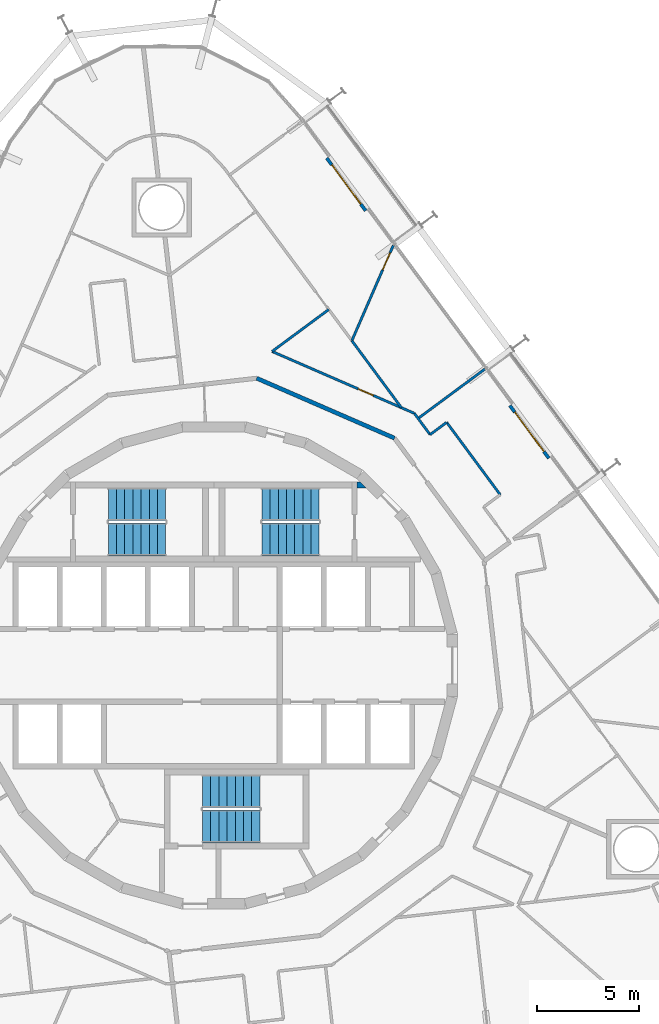
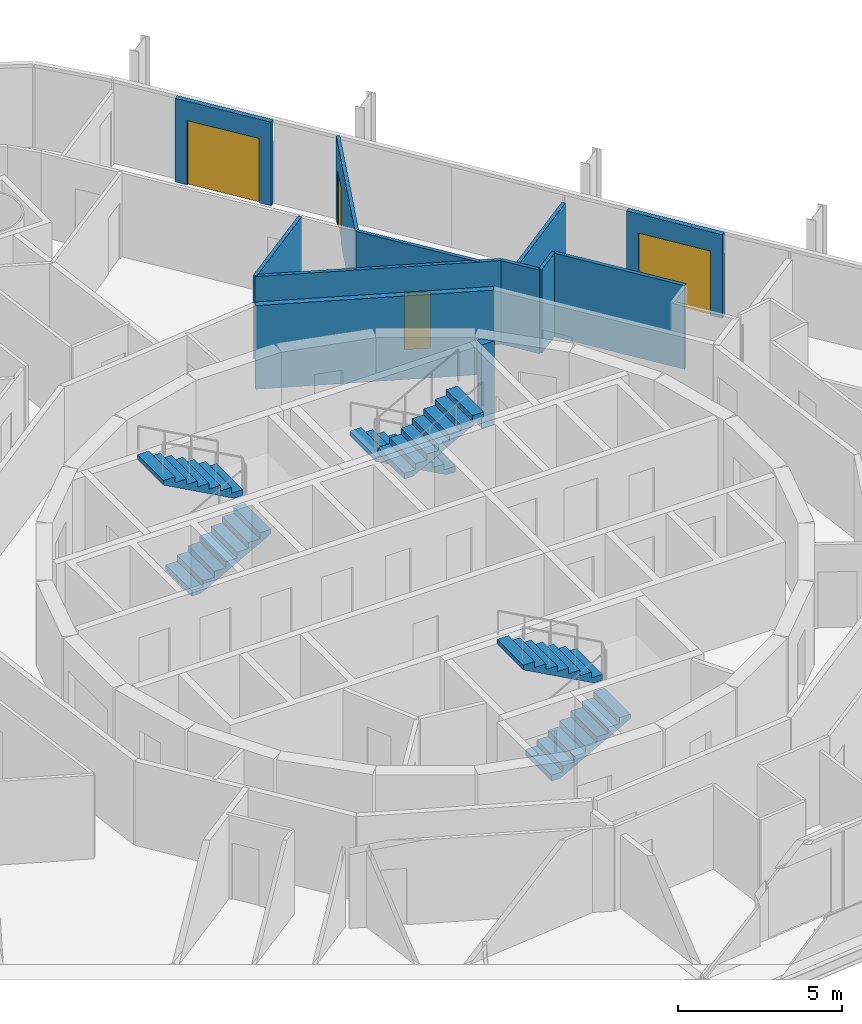
# One storey, part 22 of 24: 12 walls, 6 stair flights, 4 doors, 4 openings, 3 elements without a shape of their own.
"""IFC4 building model written with IfcOpenShell, lengths in metres."""

from ifc_helpers import new_model, si_unit, direction, frame, frame_2d, origin, place, context, subcontext, project, spatial, polyline, rectangle, outline, extrude, material, layer, layer_set, type_object, element, fill, aggregate, save


model = new_model("IFC4")

# Units and contexts
model_context = context("Model", 3, precision=1e-05, world=origin(), true_north=direction((0.0, 1.0)))
body_context = subcontext(model_context, "Body", "Model", "MODEL_VIEW")
ifc_project = project(units=[si_unit("LENGTHUNIT", "METRE"), si_unit("AREAUNIT", "SQUARE_METRE"), si_unit("VOLUMEUNIT", "CUBIC_METRE"), si_unit("PLANEANGLEUNIT", "RADIAN"), si_unit("MASSUNIT", "GRAM", prefix="KILO")], contexts=[model_context])

# Site, building, storey
site_placement = place(None, origin())
site = spatial("IfcSite", under=ifc_project, at=site_placement, CompositionType="ELEMENT")
building_placement = place(site_placement, origin())
building = spatial("IfcBuilding", under=site, at=building_placement, Name="Spindle Arch Residences", CompositionType="ELEMENT")
storey_placement = place(building_placement, frame((0.0, 0.0, 87.199951171875)))
storey = spatial("IfcBuildingStorey", under=building, at=storey_placement, Name="L20", CompositionType="ELEMENT", Elevation=87.199951171875)

# Walls
ifc_material_1 = material(Name="Calcium silicate block, plastered")
ifc_layer_1 = layer(ifc_material_1, 0.199951171875)
ifc_layer_set_1 = layer_set([ifc_layer_1], Name="Corridor wall 200")
wall_type_1 = type_object("IfcWallType", Name="Corridor wall 200", PredefinedType="STANDARD", material=ifc_layer_set_1)
wall_1_placement = place(storey_placement, frame((8.829345703125, 11.10009765625, 0.0), z_axis=(0.0, 0.0, 1.0), x_axis=(-0.917063183388, 0.398741918631, 0.0)))
element("IfcWall", 1, at=wall_1_placement, inside=storey, type_object=wall_type_1, Name="Corridor wall R2B1-W005", PredefinedType="STANDARD", context=body_context, shape_type="SweptSolid", body=[
    extrude(rectangle(XDim=7.341796875, YDim=0.199951171875, at=frame_2d((3.6708984375, 0.0))), origin(), (0.0, 0.0, 1.0), 3.1201171875),
])
ifc_material_2 = material(Name="Plasterboard on steel studs", Category="steel")
ifc_layer_2 = layer(ifc_material_2, 0.1201171875)
ifc_layer_set_2 = layer_set([ifc_layer_2], Name="Flat partition 120")
wall_type_2 = type_object("IfcWallType", Name="Flat partition 120", PredefinedType="PARTITIONING", material=ifc_layer_set_2)
wall_2_placement = place(storey_placement, frame((13.9951171875, 8.335693359375, 0.0), z_axis=(0.0, 0.0, 1.0), x_axis=(-0.59480284986, 0.803871612758, 0.0)))
element("IfcWall", 2, at=wall_2_placement, inside=storey, type_object=wall_type_2, Name="Flat partition R2B1-W030", PredefinedType="PARTITIONING", context=body_context, shape_type="SweptSolid", body=[
    extrude(rectangle(XDim=4.400146484375, YDim=0.1201171875, at=frame_2d((2.2001953125, 0.0))), origin(), (0.0, 0.0, 1.0), 3.1201171875),
])
wall_3_placement = place(storey_placement, frame((11.3779296875, 11.872802734375, 0.0), z_axis=(0.0, 0.0, 1.0), x_axis=(-0.803818744753, -0.594874293934, 0.0)))
element("IfcWall", 3, at=wall_3_placement, inside=storey, type_object=wall_type_2, Name="Flat partition R2B1-W031", PredefinedType="PARTITIONING", context=body_context, shape_type="SweptSolid", body=[
    extrude(rectangle(XDim=1.00830078125, YDim=0.1201171875, at=frame_2d((0.504150390625, 0.0))), origin(), (0.0, 0.0, 1.0), 3.1201171875),
])
wall_4_placement = place(storey_placement, frame((10.5673828125, 11.27294921875, 0.0), z_axis=(0.0, 0.0, 1.0), x_axis=(-0.594957357743, 0.803757265888, 0.0)))
element("IfcWall", 4, at=wall_4_placement, inside=storey, type_object=wall_type_2, Name="Flat partition R2B1-W032", PredefinedType="PARTITIONING", context=body_context, shape_type="SweptSolid", body=[
    extrude(rectangle(XDim=1.296630859375, YDim=0.1201171875, at=frame_2d((0.6484375, 0.0))), origin(), (0.0, 0.0, 1.0), 3.1201171875),
])

# Wall, opening, door
wall_5_placement = place(storey_placement, frame((9.7958984375, 12.315185546875, 0.0), z_axis=(0.0, 0.0, 1.0), x_axis=(-0.917053660722, 0.398763819017, 0.0)))
wall_5 = element("IfcWall", 5, at=wall_5_placement, inside=storey, type_object=wall_type_2, Name="Flat partition R2B1-W033", PredefinedType="PARTITIONING", context=body_context, shape_type="SweptSolid", body=[
    extrude(rectangle(XDim=7.575927734375, YDim=0.1201171875, at=frame_2d((3.7880859375, 0.0))), origin(), (0.0, 0.0, 1.0), 3.1201171875),
])
opening_1_placement = place(wall_5_placement, frame((2.184814453125, 0.0, 0.0)))
opening_1 = element("IfcOpeningElement", 6, at=opening_1_placement, cuts=wall_5, Name="Opening R2B1-BD01", PredefinedType="OPENING", context=body_context, shape_type="SweptSolid", body=[
    extrude(rectangle(XDim=0.800048828125, YDim=2.10009765625, at=frame_2d((0.39990234375, 1.050048828125))), frame((0.0, 0.070068359375, 0.0), z_axis=(0.0, -1.0, 0.0), x_axis=(1.0, 0.0, 0.0)), (0.0, 0.0, 1.0), 0.14013671875),
])
ifc_material_3 = material(Name="Timber door set", Category="wood")
door_type_1 = type_object("IfcDoorType", Name="Bathroom door 800x2100", OperationType="NOTDEFINED", PredefinedType="DOOR", material=ifc_material_3)
door_1_placement = place(opening_1_placement, origin())
door_1 = element("IfcDoor", 7, at=door_1_placement, inside=storey, type_object=door_type_1, Name="Bathroom door R2B1-BD01", OperationType="SINGLE_SWING_RIGHT", OverallHeight=2.10009765625, OverallWidth=0.800048828125, PredefinedType="DOOR", context=body_context, shape_type="SweptSolid", body=[
    extrude(rectangle(XDim=0.800048828125, YDim=2.10009765625, at=frame_2d((0.39990234375, 1.050048828125))), frame((0.0, 0.02490234375, 0.0), z_axis=(0.0, -1.0, 0.0), x_axis=(1.0, 0.0, 0.0)), (0.0, 0.0, 1.0), 0.050048828125),
])
fill(opening_1, door_1)

# Walls
wall_6_placement = place(storey_placement, frame((2.848388671875, 15.336181640625, 0.0), z_axis=(0.0, 0.0, 1.0), x_axis=(0.803852063114, 0.59482927015, 0.0)))
element("IfcWall", 8, at=wall_6_placement, inside=storey, type_object=wall_type_2, Name="Flat partition R2B1-W034", PredefinedType="PARTITIONING", context=body_context, shape_type="SweptSolid", body=[
    extrude(rectangle(XDim=3.445556640625, YDim=0.1201171875, at=frame_2d((1.72265625, 0.0))), origin(), (0.0, 0.0, 1.0), 3.1201171875),
])
wall_7_placement = place(storey_placement, frame((6.745849609375, 15.861572265625, 0.0), z_axis=(0.0, 0.0, 1.0), x_axis=(0.594836031811, -0.80384705962, 0.0)))
element("IfcWall", 9, at=wall_7_placement, inside=storey, type_object=wall_type_2, Name="Flat partition R2B1-W038", PredefinedType="PARTITIONING", context=body_context, shape_type="SweptSolid", body=[
    extrude(rectangle(XDim=4.072021484375, YDim=0.1201171875, at=frame_2d((2.0361328125, 0.0))), origin(), (0.0, 0.0, 1.0), 3.1201171875),
])

# Wall, opening, door
wall_8_placement = place(storey_placement, frame((8.771728515625, 20.52099609375, 0.0), z_axis=(0.0, 0.0, 1.0), x_axis=(-0.398733139635, -0.917067000473, 0.0)))
wall_8 = element("IfcWall", 10, at=wall_8_placement, inside=storey, type_object=wall_type_2, Name="Flat partition R2B1-W039", PredefinedType="PARTITIONING", context=body_context, shape_type="SweptSolid", body=[
    extrude(rectangle(XDim=5.080810546875, YDim=0.1201171875, at=frame_2d((2.54052734375, 0.0))), origin(), (0.0, 0.0, 1.0), 3.1201171875),
])
opening_2_placement = place(wall_8_placement, frame((0.39990234375, 0.0, 0.0)))
opening_2 = element("IfcOpeningElement", 11, at=opening_2_placement, cuts=wall_8, Name="Opening R2B1-ID04", PredefinedType="OPENING", context=body_context, shape_type="SweptSolid", body=[
    extrude(rectangle(XDim=0.89990234375, YDim=2.10009765625, at=frame_2d((0.449951171875, 1.050048828125))), frame((0.0, 0.070068359375, 0.0), z_axis=(0.0, -1.0, 0.0), x_axis=(1.0, 0.0, 0.0)), (0.0, 0.0, 1.0), 0.14013671875),
])
ifc_material_4 = material(Name="Timber door set", Category="wood")
door_type_2 = type_object("IfcDoorType", Name="Room door 900x2100", OperationType="NOTDEFINED", PredefinedType="DOOR", material=ifc_material_4)
door_2_placement = place(opening_2_placement, origin())
door_2 = element("IfcDoor", 12, at=door_2_placement, inside=storey, type_object=door_type_2, Name="Room door R2B1-ID04", OperationType="SINGLE_SWING_LEFT", OverallHeight=2.10009765625, OverallWidth=0.89990234375, PredefinedType="DOOR", context=body_context, shape_type="SweptSolid", body=[
    extrude(rectangle(XDim=0.89990234375, YDim=2.10009765625, at=frame_2d((0.449951171875, 1.050048828125))), frame((0.0, 0.02490234375, 0.0), z_axis=(0.0, -1.0, 0.0), x_axis=(1.0, 0.0, 0.0)), (0.0, 0.0, 1.0), 0.050048828125),
])
fill(opening_2, door_2)

# Wall
ifc_material_5 = material(Name="Plasterboard on steel studs", Category="steel")
ifc_layer_3 = layer(ifc_material_5, 0.1201171875)
ifc_layer_set_3 = layer_set([ifc_layer_3], Name="Flat partition 120 under beam 2730")
wall_type_3 = type_object("IfcWallType", Name="Flat partition 120 under beam 2730", PredefinedType="PARTITIONING", material=ifc_layer_set_3)
wall_9_placement = place(storey_placement, frame((13.244140625, 14.476806640625, 0.0), z_axis=(0.0, 0.0, 1.0), x_axis=(-0.803853407146, -0.594827453821, 0.0)))
element("IfcWall", 13, at=wall_9_placement, inside=storey, type_object=wall_type_3, Name="Flat partition R2B1-W037", PredefinedType="PARTITIONING", context=body_context, shape_type="SweptSolid", body=[
    extrude(rectangle(XDim=4.0576171875, YDim=0.1201171875, at=frame_2d((2.02880859375, 0.0))), origin(), (0.0, 0.0, 1.0), 2.72998046875),
])

# Wall, opening, door
ifc_material_6 = material(Name="Non-combustible mineral wool insulated aluminium faced external wall (K0)", Category="aluminium")
ifc_layer_4 = layer(ifc_material_6, 0.159912109375)
ifc_layer_set_4 = layer_set([ifc_layer_4], Name="Insulated external wall panel 160")
wall_type_4 = type_object("IfcWallType", Name="Insulated external wall panel 160", PredefinedType="STANDARD", material=ifc_layer_set_4)
wall_10_placement = place(storey_placement, frame((16.36767578125, 10.12109375, 0.0), z_axis=(0.0, 0.0, 1.0), x_axis=(-0.594811452818, 0.803865247163, 0.0)))
wall_10 = element("IfcWall", 14, at=wall_10_placement, inside=storey, type_object=wall_type_4, Name="External wall L20 bay 8", PredefinedType="STANDARD", context=body_context, shape_type="SweptSolid", body=[
    extrude(rectangle(XDim=3.199951171875, YDim=0.159912109375, at=frame_2d((1.60009765625, 0.0))), origin(), (0.0, 0.0, 1.0), 3.1201171875),
])
opening_3_placement = place(wall_10_placement, frame((0.39990234375, 0.0, 0.0)))
opening_3 = element("IfcOpeningElement", 15, at=opening_3_placement, cuts=wall_10, Name="Opening BD08", PredefinedType="OPENING", context=body_context, shape_type="SweptSolid", body=[
    extrude(rectangle(XDim=2.39990234375, YDim=2.39990234375, at=frame_2d((1.199951171875, 1.199951171875))), frame((0.0, 0.08984375, 0.0), z_axis=(0.0, -1.0, 0.0), x_axis=(1.0, 0.0, 0.0)), (0.0, 0.0, 1.0), 0.179931640625),
])
ifc_material_7 = material(Name="Bronze aluminium frame, tinted double glazing", Category="aluminium")
door_type_3 = type_object("IfcDoorType", Name="Sliding glazed balcony door 2400x2400", OperationType="DOUBLE_DOOR_SLIDING", PredefinedType="DOOR", material=ifc_material_7)
door_3_placement = place(opening_3_placement, origin())
door_3 = element("IfcDoor", 16, at=door_3_placement, inside=storey, type_object=door_type_3, Name="Balcony door BD08", OperationType="DOUBLE_DOOR_SLIDING", OverallHeight=2.39990234375, OverallWidth=2.39990234375, PredefinedType="DOOR", context=body_context, shape_type="SweptSolid", body=[
    extrude(rectangle(XDim=2.39990234375, YDim=2.39990234375, at=frame_2d((1.199951171875, 1.199951171875))), frame((0.0, 0.02490234375, 0.0), z_axis=(0.0, -1.0, 0.0), x_axis=(1.0, 0.0, 0.0)), (0.0, 0.0, 1.0), 0.050048828125),
])
fill(opening_3, door_3)

wall_11_placement = place(storey_placement, frame((7.4228515625, 22.209228515625, 0.0), z_axis=(0.0, 0.0, 1.0), x_axis=(-0.594811452818, 0.803865247163, 0.0)))
wall_11 = element("IfcWall", 17, at=wall_11_placement, inside=storey, type_object=wall_type_4, Name="External wall L20 bay 10", PredefinedType="STANDARD", context=body_context, shape_type="SweptSolid", body=[
    extrude(rectangle(XDim=3.199951171875, YDim=0.159912109375, at=frame_2d((1.60009765625, 0.0))), origin(), (0.0, 0.0, 1.0), 3.1201171875),
])
opening_4_placement = place(wall_11_placement, frame((0.39990234375, 0.0, 0.0)))
opening_4 = element("IfcOpeningElement", 18, at=opening_4_placement, cuts=wall_11, Name="Opening BD10", PredefinedType="OPENING", context=body_context, shape_type="SweptSolid", body=[
    extrude(rectangle(XDim=2.39990234375, YDim=2.39990234375, at=frame_2d((1.199951171875, 1.199951171875))), frame((0.0, 0.08984375, 0.0), z_axis=(0.0, -1.0, 0.0), x_axis=(1.0, 0.0, 0.0)), (0.0, 0.0, 1.0), 0.179931640625),
])
door_4_placement = place(opening_4_placement, origin())
door_4 = element("IfcDoor", 19, at=door_4_placement, inside=storey, type_object=door_type_3, Name="Balcony door BD10", OperationType="DOUBLE_DOOR_SLIDING", OverallHeight=2.39990234375, OverallWidth=2.39990234375, PredefinedType="DOOR", context=body_context, shape_type="SweptSolid", body=[
    extrude(rectangle(XDim=2.39990234375, YDim=2.39990234375, at=frame_2d((1.199951171875, 1.199951171875))), frame((0.0, 0.02490234375, 0.0), z_axis=(0.0, -1.0, 0.0), x_axis=(1.0, 0.0, 0.0)), (0.0, 0.0, 1.0), 0.050048828125),
])
fill(opening_4, door_4)

# Wall
ifc_material_8 = material(Name="Concrete C40/50", Category="concrete")
wall_type_5 = type_object("IfcWallType", Name="Stair airlock wall profile", PredefinedType="SHEAR", material=ifc_material_8)
wall_12_placement = place(storey_placement, origin())
element("IfcWall", 20, at=wall_12_placement, inside=storey, type_object=wall_type_5, Name="Stair ST-1 airlock wall N", PredefinedType="SHEAR", context=body_context, shape_type="SweptSolid", body=[
    extrude(outline(polyline([(7.4482421875, 8.669921875), (7.0, 8.669921875), (7.0, 8.969970703125), (7.148193359375, 8.969970703125), (7.4482421875, 8.669921875)])), origin(), (0.0, 0.0, 1.0), 3.1201171875),
])

# Stair, stair flights
ifc_material_9 = material(Name="Concrete C50/60", Category="concrete")
stair_type = type_object("IfcStairType", Name="Exit stair 16 risers", PredefinedType="HALF_TURN_STAIR", material=ifc_material_9)
stair_1_placement = place(storey_placement, origin())
stair_1 = element("IfcStair", 21, at=stair_1_placement, inside=storey, type_object=stair_type, Name="L20 Exit stair ST1", PredefinedType="HALF_TURN_STAIR")
ifc_material_10 = material(Name="Concrete C50/60", Category="concrete")
stair_flight_type = type_object("IfcStairFlightType", Name="Exit stair flight", PredefinedType="STRAIGHT", material=ifc_material_10)
stair_flight_1_placement = place(storey_placement, frame((5.14990234375, 7.8701171875, 0.0), z_axis=(0.0, 0.0, 1.0), x_axis=(-1.0, 0.0, 0.0)))
stair_flight_1 = element("IfcStairFlight", 22, at=stair_flight_1_placement, type_object=stair_flight_type, Name="ST1 flight 1", NumberOfRisers=8, NumberOfTreads=7, PredefinedType="STRAIGHT", RiserHeight=0.21875, TreadLength=0.4, context=body_context, shape_type="SweptSolid", body=[
    extrude(outline(polyline([(0.0, 0.0), (0.0, 0.21875), (0.39990234375, 0.21875), (0.39990234375, 0.4375), (0.800048828125, 0.4375), (0.800048828125, 0.65625), (1.199951171875, 0.65625), (1.199951171875, 0.875), (1.60009765625, 0.875), (1.60009765625, 1.09375), (2.0, 1.09375), (2.0, 1.3125), (2.39990234375, 1.3125), (2.39990234375, 1.53125), (2.800048828125, 1.53125), (2.800048828125, 1.75), (2.800048828125, 1.3603515625), (0.3125, 0.0), (0.0, 0.0)])), frame((0.0, 0.800048828125, 0.0), z_axis=(0.0, -1.0, 0.0), x_axis=(1.0, 0.0, 0.0)), (0.0, 0.0, 1.0), 1.60009765625),
])
stair_flight_2_placement = place(storey_placement, frame((2.35009765625, 6.14990234375, 1.75), z_axis=(0.0, 0.0, 1.0), x_axis=(1.0, 0.0, 0.0)))
stair_flight_2 = element("IfcStairFlight", 23, at=stair_flight_2_placement, type_object=stair_flight_type, Name="ST1 flight 2", NumberOfRisers=8, NumberOfTreads=7, PredefinedType="STRAIGHT", RiserHeight=0.21875, TreadLength=0.4, context=body_context, shape_type="SweptSolid", body=[
    extrude(outline(polyline([(0.0, 0.0), (0.0, 0.21875), (0.39990234375, 0.21875), (0.39990234375, 0.4375), (0.800048828125, 0.4375), (0.800048828125, 0.65625), (1.199951171875, 0.65625), (1.199951171875, 0.875), (1.60009765625, 0.875), (1.60009765625, 1.09375), (2.0, 1.09375), (2.0, 1.3125), (2.39990234375, 1.3125), (2.39990234375, 1.53125), (2.800048828125, 1.53125), (2.800048828125, 1.75), (2.800048828125, 1.3603515625), (0.3125, 0.0), (0.0, 0.0)])), frame((0.0, 0.800048828125, 0.0), z_axis=(0.0, -1.0, 0.0), x_axis=(1.0, 0.0, 0.0)), (0.0, 0.0, 1.0), 1.60009765625),
])
aggregate(stair_1, [stair_flight_1, stair_flight_2])

stair_2_placement = place(storey_placement, origin())
stair_2 = element("IfcStair", 24, at=stair_2_placement, inside=storey, type_object=stair_type, Name="L20 Exit stair ST2", PredefinedType="HALF_TURN_STAIR")
stair_flight_3_placement = place(storey_placement, frame((-5.14990234375, 6.14990234375, 0.0), z_axis=(0.0, 0.0, 1.0), x_axis=(1.0, 0.0, 0.0)))
stair_flight_3 = element("IfcStairFlight", 25, at=stair_flight_3_placement, type_object=stair_flight_type, Name="ST2 flight 1", NumberOfRisers=8, NumberOfTreads=7, PredefinedType="STRAIGHT", RiserHeight=0.21875, TreadLength=0.4, context=body_context, shape_type="SweptSolid", body=[
    extrude(outline(polyline([(0.0, 0.0), (0.0, 0.21875), (0.39990234375, 0.21875), (0.39990234375, 0.4375), (0.800048828125, 0.4375), (0.800048828125, 0.65625), (1.199951171875, 0.65625), (1.199951171875, 0.875), (1.60009765625, 0.875), (1.60009765625, 1.09375), (2.0, 1.09375), (2.0, 1.3125), (2.39990234375, 1.3125), (2.39990234375, 1.53125), (2.800048828125, 1.53125), (2.800048828125, 1.75), (2.800048828125, 1.3603515625), (0.3125, 0.0), (0.0, 0.0)])), frame((0.0, 0.800048828125, 0.0), z_axis=(0.0, -1.0, 0.0), x_axis=(1.0, 0.0, 0.0)), (0.0, 0.0, 1.0), 1.60009765625),
])
stair_flight_4_placement = place(storey_placement, frame((-2.35009765625, 7.8701171875, 1.75), z_axis=(0.0, 0.0, 1.0), x_axis=(-1.0, 0.0, 0.0)))
stair_flight_4 = element("IfcStairFlight", 26, at=stair_flight_4_placement, type_object=stair_flight_type, Name="ST2 flight 2", NumberOfRisers=8, NumberOfTreads=7, PredefinedType="STRAIGHT", RiserHeight=0.21875, TreadLength=0.4, context=body_context, shape_type="SweptSolid", body=[
    extrude(outline(polyline([(0.0, 0.0), (0.0, 0.21875), (0.39990234375, 0.21875), (0.39990234375, 0.4375), (0.800048828125, 0.4375), (0.800048828125, 0.65625), (1.199951171875, 0.65625), (1.199951171875, 0.875), (1.60009765625, 0.875), (1.60009765625, 1.09375), (2.0, 1.09375), (2.0, 1.3125), (2.39990234375, 1.3125), (2.39990234375, 1.53125), (2.800048828125, 1.53125), (2.800048828125, 1.75), (2.800048828125, 1.3603515625), (0.3125, 0.0), (0.0, 0.0)])), frame((0.0, 0.800048828125, 0.0), z_axis=(0.0, -1.0, 0.0), x_axis=(1.0, 0.0, 0.0)), (0.0, 0.0, 1.0), 1.60009765625),
])
aggregate(stair_2, [stair_flight_3, stair_flight_4])

stair_3_placement = place(storey_placement, origin())
stair_3 = element("IfcStair", 27, at=stair_3_placement, inside=storey, type_object=stair_type, Name="L20 Exit stair ST3", PredefinedType="HALF_TURN_STAIR")
stair_flight_5_placement = place(storey_placement, frame((-0.550048828125, -7.8701171875, 0.0), z_axis=(0.0, 0.0, 1.0), x_axis=(1.0, 0.0, 0.0)))
stair_flight_5 = element("IfcStairFlight", 28, at=stair_flight_5_placement, type_object=stair_flight_type, Name="ST3 flight 1", NumberOfRisers=8, NumberOfTreads=7, PredefinedType="STRAIGHT", RiserHeight=0.21875, TreadLength=0.4, context=body_context, shape_type="SweptSolid", body=[
    extrude(outline(polyline([(0.0, 0.0), (0.0, 0.21875), (0.39990234375, 0.21875), (0.39990234375, 0.4375), (0.800048828125, 0.4375), (0.800048828125, 0.65625), (1.199951171875, 0.65625), (1.199951171875, 0.875), (1.60009765625, 0.875), (1.60009765625, 1.09375), (2.0, 1.09375), (2.0, 1.3125), (2.39990234375, 1.3125), (2.39990234375, 1.53125), (2.800048828125, 1.53125), (2.800048828125, 1.75), (2.800048828125, 1.3603515625), (0.3125, 0.0), (0.0, 0.0)])), frame((0.0, 0.800048828125, 0.0), z_axis=(0.0, -1.0, 0.0), x_axis=(1.0, 0.0, 0.0)), (0.0, 0.0, 1.0), 1.60009765625),
])
stair_flight_6_placement = place(storey_placement, frame((2.25, -6.14990234375, 1.75), z_axis=(0.0, 0.0, 1.0), x_axis=(-1.0, 0.0, 0.0)))
stair_flight_6 = element("IfcStairFlight", 29, at=stair_flight_6_placement, type_object=stair_flight_type, Name="ST3 flight 2", NumberOfRisers=8, NumberOfTreads=7, PredefinedType="STRAIGHT", RiserHeight=0.21875, TreadLength=0.4, context=body_context, shape_type="SweptSolid", body=[
    extrude(outline(polyline([(0.0, 0.0), (0.0, 0.21875), (0.39990234375, 0.21875), (0.39990234375, 0.4375), (0.800048828125, 0.4375), (0.800048828125, 0.65625), (1.199951171875, 0.65625), (1.199951171875, 0.875), (1.60009765625, 0.875), (1.60009765625, 1.09375), (2.0, 1.09375), (2.0, 1.3125), (2.39990234375, 1.3125), (2.39990234375, 1.53125), (2.800048828125, 1.53125), (2.800048828125, 1.75), (2.800048828125, 1.3603515625), (0.3125, 0.0), (0.0, 0.0)])), frame((0.0, 0.800048828125, 0.0), z_axis=(0.0, -1.0, 0.0), x_axis=(1.0, 0.0, 0.0)), (0.0, 0.0, 1.0), 1.60009765625),
])
aggregate(stair_3, [stair_flight_5, stair_flight_6])

save(model, "model.ifc")
